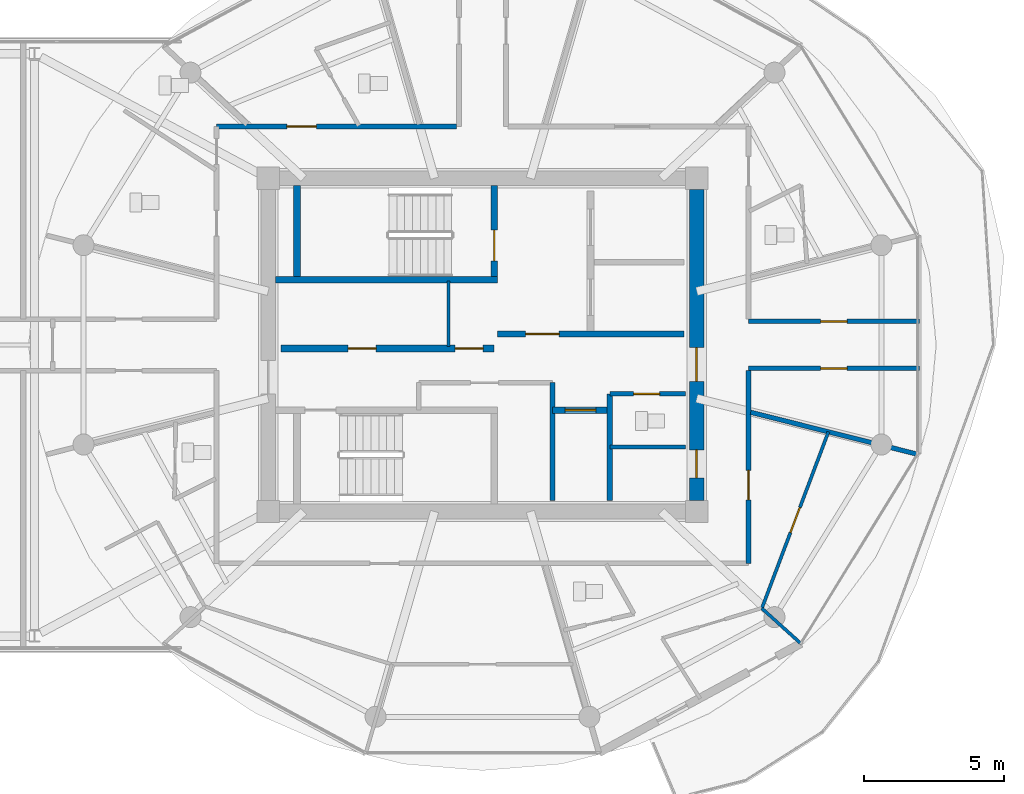
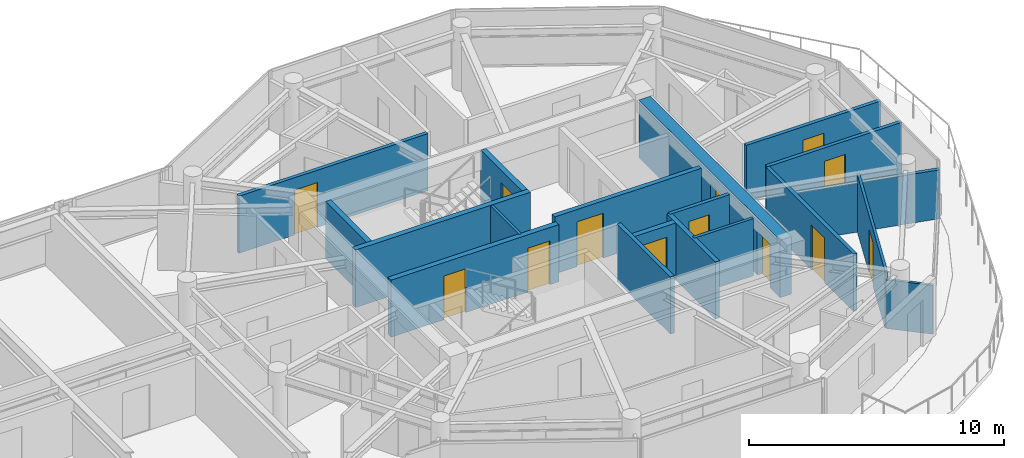
# One storey, part 19 of 26: 19 walls, 13 doors, 13 openings.
"""IFC4 building model written with IfcOpenShell, lengths in metres."""

from ifc_helpers import new_model, si_unit, direction, frame, frame_2d, origin, place, context, subcontext, project, spatial, rectangle, extrude, source, transform, mapped, material, layer, layer_set, type_object, type_shapes, element, fill, save


model = new_model("IFC4")

# Units and contexts
model_context = context("Model", 3, precision=1e-05, world=origin(), true_north=direction((0.0, 1.0)))
body_context = subcontext(model_context, "Body", "Model", "MODEL_VIEW")
ifc_project = project(units=[si_unit("LENGTHUNIT", "METRE"), si_unit("AREAUNIT", "SQUARE_METRE"), si_unit("VOLUMEUNIT", "CUBIC_METRE"), si_unit("PLANEANGLEUNIT", "RADIAN"), si_unit("MASSUNIT", "GRAM", prefix="KILO")], contexts=[model_context])

# Site, building, storey
site_placement = place(None, origin())
site = spatial("IfcSite", under=ifc_project, at=site_placement, CompositionType="ELEMENT")
building_placement = place(site_placement, origin())
building = spatial("IfcBuilding", under=site, at=building_placement, Name="Norrkilde Senior Care Towers", CompositionType="ELEMENT")
storey_placement = place(building_placement, frame((0.0, 0.0, 210.85009765625)))
storey = spatial("IfcBuildingStorey", under=building, at=storey_placement, Name="L65", CompositionType="ELEMENT", Elevation=210.85009765625)

# Wall, openings, doors
ifc_material_1 = material(Name="Concrete C50/60", Category="concrete")
ifc_layer_1 = layer(ifc_material_1, 0.52001953125)
ifc_layer_set_1 = layer_set([ifc_layer_1], Name="Concrete C50/60")
wall_type_1 = type_object("IfcWallType", Name="Core Shear Wall Z4 520", PredefinedType="SHEAR", material=ifc_layer_set_1)
shared_shape_1 = source(origin(), body_context, "Body", "SweptSolid", [
    extrude(rectangle(XDim=11.10009765625, YDim=0.52001953125, at=frame_2d((5.550048828125, 0.0))), origin(), (0.0, 0.0, 1.0), 2.760009765625),
])
type_shapes(wall_type_1, [shared_shape_1])
wall_1_placement = place(storey_placement, frame((35.64990234375, 5.550048828125, 0.0), z_axis=(0.0, 0.0, 1.0), x_axis=(0.0, -1.0, 0.0)))
wall_1 = element("IfcWall", 1, at=wall_1_placement, inside=storey, type_object=wall_type_1, Name="L65 Core E East Shear Wall", PredefinedType="SHEAR", context=body_context, shape_type="MappedRepresentation", body=[
    mapped(shared_shape_1, transform((0.0, 0.0, 0.0), x_axis=(1.0, 0.0, 0.0), y_axis=(0.0, 1.0, 0.0), z_axis=(0.0, 0.0, 1.0), scale=1.0)),
])
opening_1_placement = place(wall_1_placement, frame((5.64990234375, 0.0, 0.0)))
opening_1 = element("IfcOpeningElement", 2, at=opening_1_placement, cuts=wall_1, Name="Opening D-04", PredefinedType="OPENING", context=body_context, shape_type="SweptSolid", body=[
    extrude(rectangle(XDim=1.199951171875, YDim=2.14990234375, at=frame_2d((0.60009765625, 1.074951171875))), frame((0.0, 0.27001953125, 0.0), z_axis=(0.0, -1.0, 0.0), x_axis=(1.0, 0.0, 0.0)), (0.0, 0.0, 1.0), 0.5400390625),
])
opening_2_placement = place(wall_1_placement, frame((9.300048828125, 0.0, 0.0)))
opening_2 = element("IfcOpeningElement", 3, at=opening_2_placement, cuts=wall_1, Name="Opening D-10", PredefinedType="OPENING", context=body_context, shape_type="SweptSolid", body=[
    extrude(rectangle(XDim=1.0, YDim=2.10009765625, at=frame_2d((0.5, 1.050048828125))), frame((0.0, 0.27001953125, 0.0), z_axis=(0.0, -1.0, 0.0), x_axis=(1.0, 0.0, 0.0)), (0.0, 0.0, 1.0), 0.5400390625),
])
ifc_material_2 = material(Name="Galvanised Painted Steel", Category="steel")
door_type_1 = type_object("IfcDoorType", Name="Firefighting Lobby Fire Door 1200x2150", OperationType="NOTDEFINED", PredefinedType="DOOR", material=ifc_material_2)
shared_shape_2 = source(origin(), body_context, "Body", "SweptSolid", [
    extrude(rectangle(XDim=1.199951171875, YDim=2.14990234375, at=frame_2d((0.60009765625, 1.074951171875))), frame((0.0, 0.02490234375, 0.0), z_axis=(0.0, -1.0, 0.0), x_axis=(1.0, 0.0, 0.0)), (0.0, 0.0, 1.0), 0.050048828125),
])
type_shapes(door_type_1, [shared_shape_2])
door_1_placement = place(opening_1_placement, frame((1.199951171875, 0.0, 0.0), z_axis=(0.0, 0.0, 1.0), x_axis=(-1.0, 0.0, 0.0)))
door_1 = element("IfcDoor", 4, at=door_1_placement, inside=storey, type_object=door_type_1, Name="L65 Core E East Portal Door", OperationType="SINGLE_SWING_RIGHT", OverallHeight=2.14990234375, OverallWidth=1.199951171875, PredefinedType="DOOR", context=body_context, shape_type="MappedRepresentation", body=[
    mapped(shared_shape_2, transform((0.0, 0.0, 0.0), x_axis=(1.0, 0.0, 0.0), y_axis=(0.0, 1.0, 0.0), z_axis=(0.0, 0.0, 1.0), scale=1.0)),
])
fill(opening_1, door_1)
door_type_2 = type_object("IfcDoorType", Name="Plant and Riser Rated Door 1000x2100", OperationType="NOTDEFINED", PredefinedType="DOOR", material=ifc_material_2)
shared_shape_3 = source(origin(), body_context, "Body", "SweptSolid", [
    extrude(rectangle(XDim=1.0, YDim=2.10009765625, at=frame_2d((0.5, 1.050048828125))), frame((0.0, 0.02490234375, 0.0), z_axis=(0.0, -1.0, 0.0), x_axis=(1.0, 0.0, 0.0)), (0.0, 0.0, 1.0), 0.050048828125),
])
type_shapes(door_type_2, [shared_shape_3])
door_2_placement = place(opening_2_placement, frame((1.0, 0.0, 0.0), z_axis=(0.0, 0.0, 1.0), x_axis=(-1.0, 0.0, 0.0)))
door_2 = element("IfcDoor", 5, at=door_2_placement, inside=storey, type_object=door_type_2, Name="L65 Ventilation Riser E Door", OperationType="SINGLE_SWING_RIGHT", OverallHeight=2.10009765625, OverallWidth=1.0, PredefinedType="DOOR", context=body_context, shape_type="MappedRepresentation", body=[
    mapped(shared_shape_3, transform((0.0, 0.0, 0.0), x_axis=(1.0, 0.0, 0.0), y_axis=(0.0, 1.0, 0.0), z_axis=(0.0, 0.0, 1.0), scale=1.0)),
])
fill(opening_2, door_2)

# Walls
ifc_material_3 = material(Name="Concrete C45/55", Category="concrete")
ifc_layer_2 = layer(ifc_material_3, 0.239990234375)
ifc_layer_set_2 = layer_set([ifc_layer_2], Name="Concrete C45/55")
wall_type_2 = type_object("IfcWallType", Name="Shaft and Stair Enclosure Wall 240", PredefinedType="PARTITIONING", material=ifc_layer_set_2)
shared_shape_4 = source(origin(), body_context, "Body", "SweptSolid", [
    extrude(rectangle(XDim=7.929931640625, YDim=0.239990234375, at=frame_2d((3.96484375, 0.0))), origin(), (0.0, 0.0, 1.0), 2.760009765625),
])
wall_2_placement = place(storey_placement, frame((20.610107421875, 2.330078125, 0.0), z_axis=(0.0, 0.0, 1.0), x_axis=(1.0, 0.0, 0.0)))
element("IfcWall", 6, at=wall_2_placement, inside=storey, type_object=wall_type_2, Name="WL-INT-L65-E-ST1S", PredefinedType="PARTITIONING", context=body_context, shape_type="MappedRepresentation", body=[
    mapped(shared_shape_4, transform((0.0, 0.0, 0.0), x_axis=(1.0, 0.0, 0.0), y_axis=(0.0, 1.0, 0.0), z_axis=(0.0, 0.0, 1.0), scale=1.0)),
])
shared_shape_5 = source(origin(), body_context, "Body", "SweptSolid", [
    extrude(rectangle(XDim=3.239990234375, YDim=0.239990234375, at=frame_2d((1.6201171875, 0.0))), origin(), (0.0, 0.0, 1.0), 2.760009765625),
])
type_shapes(wall_type_2, [shared_shape_4, shared_shape_5])
wall_3_placement = place(storey_placement, frame((21.3798828125, 2.449951171875, 0.0), z_axis=(0.0, 0.0, 1.0), x_axis=(0.0, 1.0, 0.0)))
element("IfcWall", 7, at=wall_3_placement, inside=storey, type_object=wall_type_2, Name="WL-INT-L65-E-ST1W", PredefinedType="PARTITIONING", context=body_context, shape_type="MappedRepresentation", body=[
    mapped(shared_shape_5, transform((0.0, 0.0, 0.0), x_axis=(1.0, 0.0, 0.0), y_axis=(0.0, 1.0, 0.0), z_axis=(0.0, 0.0, 1.0), scale=1.0)),
])

# Wall, opening, door
wall_4_placement = place(storey_placement, frame((28.419921875, 2.449951171875, 0.0), z_axis=(0.0, 0.0, 1.0), x_axis=(0.0, 1.0, 0.0)))
wall_4 = element("IfcWall", 8, at=wall_4_placement, inside=storey, type_object=wall_type_2, Name="WL-INT-L65-E-ST1E", PredefinedType="PARTITIONING", context=body_context, shape_type="MappedRepresentation", body=[
    mapped(shared_shape_5, transform((0.0, 0.0, 0.0), x_axis=(1.0, 0.0, 0.0), y_axis=(0.0, 1.0, 0.0), z_axis=(0.0, 0.0, 1.0), scale=1.0)),
])
opening_3_placement = place(wall_4_placement, frame((0.550048828125, 0.0, 0.0)))
opening_3 = element("IfcOpeningElement", 9, at=opening_3_placement, cuts=wall_4, Name="Opening D-03", PredefinedType="OPENING", context=body_context, shape_type="SweptSolid", body=[
    extrude(rectangle(XDim=1.10009765625, YDim=2.14990234375, at=frame_2d((0.550048828125, 1.074951171875))), frame((0.0, 0.1298828125, 0.0), z_axis=(0.0, -1.0, 0.0), x_axis=(1.0, 0.0, 0.0)), (0.0, 0.0, 1.0), 0.260009765625),
])
door_type_3 = type_object("IfcDoorType", Name="Stairwell Protected Fire Door 1100x2150", OperationType="NOTDEFINED", PredefinedType="DOOR", material=ifc_material_2)
shared_shape_6 = source(origin(), body_context, "Body", "SweptSolid", [
    extrude(rectangle(XDim=1.10009765625, YDim=2.14990234375, at=frame_2d((0.550048828125, 1.074951171875))), frame((0.0, 0.02490234375, 0.0), z_axis=(0.0, -1.0, 0.0), x_axis=(1.0, 0.0, 0.0)), (0.0, 0.0, 1.0), 0.050048828125),
])
type_shapes(door_type_3, [shared_shape_6])
door_3_placement = place(opening_3_placement, origin())
door_3 = element("IfcDoor", 10, at=door_3_placement, inside=storey, type_object=door_type_3, Name="L65 Stair E1 Fire Door", OperationType="SINGLE_SWING_LEFT", OverallHeight=2.14990234375, OverallWidth=1.10009765625, PredefinedType="DOOR", context=body_context, shape_type="MappedRepresentation", body=[
    mapped(shared_shape_6, transform((0.0, 0.0, 0.0), x_axis=(1.0, 0.0, 0.0), y_axis=(0.0, 1.0, 0.0), z_axis=(0.0, 0.0, 1.0), scale=1.0)),
])
fill(opening_3, door_3)

# Wall
ifc_material_4 = material(Name="Gypsum Acoustic Board")
ifc_layer_3 = layer(ifc_material_4, 0.1650390625)
ifc_layer_set_3 = layer_set([ifc_layer_3], Name="Gypsum Acoustic Board")
wall_type_3 = type_object("IfcWallType", Name="Corridor Rated Partition 165", PredefinedType="PARTITIONING", material=ifc_layer_set_3)
shared_shape_7 = source(origin(), body_context, "Body", "SweptSolid", [
    extrude(rectangle(XDim=6.1572265625, YDim=0.1650390625, at=frame_2d((3.07861328125, 0.0))), origin(), (0.0, 0.0, 1.0), 2.344970703125),
])
wall_5_placement = place(storey_placement, frame((37.580078125, -2.407470703125, 0.0), z_axis=(0.0, 0.0, 1.0), x_axis=(0.969840867184, -0.243738984038, 0.0)))
element("IfcWall", 11, at=wall_5_placement, inside=storey, type_object=wall_type_3, Name="WL-INT-L65-E-DEM-11-0", PredefinedType="PARTITIONING", context=body_context, shape_type="MappedRepresentation", body=[
    mapped(shared_shape_7, transform((0.0, 0.0, 0.0), x_axis=(1.0, 0.0, 0.0), y_axis=(0.0, 1.0, 0.0), z_axis=(0.0, 0.0, 1.0), scale=1.0)),
])

# Wall, opening, door
ifc_layer_4 = layer(ifc_material_3, 0.2099609375)
ifc_layer_set_4 = layer_set([ifc_layer_4], Name="Concrete C45/55")
wall_type_4 = type_object("IfcWallType", Name="Firefighting Lobby Wall 210", PredefinedType="PARTITIONING", material=ifc_layer_set_4)
shared_shape_8 = source(origin(), body_context, "Body", "SweptSolid", [
    extrude(rectangle(XDim=6.659912109375, YDim=0.2099609375, at=frame_2d((3.330078125, 0.0))), origin(), (0.0, 0.0, 1.0), 2.744873046875),
])
type_shapes(wall_type_4, [shared_shape_8])
wall_6_placement = place(storey_placement, frame((28.5400390625, 0.389892578125, 0.0), z_axis=(0.0, 0.0, 1.0), x_axis=(1.0, 0.0, 0.0)))
wall_6 = element("IfcWall", 12, at=wall_6_placement, inside=storey, type_object=wall_type_4, Name="WL-INT-L65-E-FFLS", PredefinedType="PARTITIONING", context=body_context, shape_type="MappedRepresentation", body=[
    mapped(shared_shape_8, transform((0.0, 0.0, 0.0), x_axis=(1.0, 0.0, 0.0), y_axis=(0.0, 1.0, 0.0), z_axis=(0.0, 0.0, 1.0), scale=1.0)),
])
opening_4_placement = place(wall_6_placement, frame((1.0, 0.0, 0.0)))
opening_4 = element("IfcOpeningElement", 13, at=opening_4_placement, cuts=wall_6, Name="Opening D-04", PredefinedType="OPENING", context=body_context, shape_type="SweptSolid", body=[
    extrude(rectangle(XDim=1.199951171875, YDim=2.14990234375, at=frame_2d((0.60009765625, 1.074951171875))), frame((0.0, 0.114990234375, 0.0), z_axis=(0.0, -1.0, 0.0), x_axis=(1.0, 0.0, 0.0)), (0.0, 0.0, 1.0), 0.22998046875),
])
door_4_placement = place(opening_4_placement, frame((1.199951171875, 0.0, 0.0), z_axis=(0.0, 0.0, 1.0), x_axis=(-1.0, 0.0, 0.0)))
door_4 = element("IfcDoor", 14, at=door_4_placement, inside=storey, type_object=door_type_1, Name="L65 Firefighting Lobby E Door", OperationType="SINGLE_SWING_LEFT", OverallHeight=2.14990234375, OverallWidth=1.199951171875, PredefinedType="DOOR", context=body_context, shape_type="MappedRepresentation", body=[
    mapped(shared_shape_2, transform((0.0, 0.0, 0.0), x_axis=(1.0, 0.0, 0.0), y_axis=(0.0, 1.0, 0.0), z_axis=(0.0, 0.0, 1.0), scale=1.0)),
])
fill(opening_4, door_4)

# Wall, openings, doors
ifc_layer_5 = layer(ifc_material_3, 0.239990234375)
ifc_layer_set_5 = layer_set([ifc_layer_5], Name="Concrete C45/55")
wall_type_5 = type_object("IfcWallType", Name="Lift and Plant Rated Enclosure Partition 240", PredefinedType="PARTITIONING", material=ifc_layer_set_5)
shared_shape_9 = source(origin(), body_context, "Body", "SweptSolid", [
    extrude(rectangle(XDim=7.619873046875, YDim=0.239990234375, at=frame_2d((3.81005859375, 0.0))), origin(), (0.0, 0.0, 1.0), 2.744873046875),
])
wall_7_placement = place(storey_placement, frame((20.800048828125, -0.1298828125, 0.0), z_axis=(0.0, 0.0, 1.0), x_axis=(1.0, 0.0, 0.0)))
wall_7 = element("IfcWall", 15, at=wall_7_placement, inside=storey, type_object=wall_type_5, Name="WL-INT-L65-E-PKAS", PredefinedType="PARTITIONING", context=body_context, shape_type="MappedRepresentation", body=[
    mapped(shared_shape_9, transform((0.0, 0.0, 0.0), x_axis=(1.0, 0.0, 0.0), y_axis=(0.0, 1.0, 0.0), z_axis=(0.0, 0.0, 1.0), scale=1.0)),
])
opening_5_placement = place(wall_7_placement, frame((6.219970703125, 0.0, 0.0)))
opening_5 = element("IfcOpeningElement", 16, at=opening_5_placement, cuts=wall_7, Name="Opening D-10", PredefinedType="OPENING", context=body_context, shape_type="SweptSolid", body=[
    extrude(rectangle(XDim=1.0, YDim=2.10009765625, at=frame_2d((0.5, 1.050048828125))), frame((0.0, 0.1298828125, 0.0), z_axis=(0.0, -1.0, 0.0), x_axis=(1.0, 0.0, 0.0)), (0.0, 0.0, 1.0), 0.260009765625),
])
opening_6_placement = place(wall_7_placement, frame((2.39990234375, 0.0, 0.0)))
opening_6 = element("IfcOpeningElement", 17, at=opening_6_placement, cuts=wall_7, Name="Opening D-10", PredefinedType="OPENING", context=body_context, shape_type="SweptSolid", body=[
    extrude(rectangle(XDim=1.0, YDim=2.10009765625, at=frame_2d((0.5, 1.050048828125))), frame((0.0, 0.1298828125, 0.0), z_axis=(0.0, -1.0, 0.0), x_axis=(1.0, 0.0, 0.0)), (0.0, 0.0, 1.0), 0.260009765625),
])
door_5_placement = place(opening_5_placement, frame((1.0, 0.0, 0.0), z_axis=(0.0, 0.0, 1.0), x_axis=(-1.0, 0.0, 0.0)))
door_5 = element("IfcDoor", 18, at=door_5_placement, inside=storey, type_object=door_type_2, Name="L65 Electrical Riser E Door", OperationType="SINGLE_SWING_LEFT", OverallHeight=2.10009765625, OverallWidth=1.0, PredefinedType="DOOR", context=body_context, shape_type="MappedRepresentation", body=[
    mapped(shared_shape_3, transform((0.0, 0.0, 0.0), x_axis=(1.0, 0.0, 0.0), y_axis=(0.0, 1.0, 0.0), z_axis=(0.0, 0.0, 1.0), scale=1.0)),
])
fill(opening_5, door_5)
door_6_placement = place(opening_6_placement, frame((1.0, 0.0, 0.0), z_axis=(0.0, 0.0, 1.0), x_axis=(-1.0, 0.0, 0.0)))
door_6 = element("IfcDoor", 19, at=door_6_placement, inside=storey, type_object=door_type_2, Name="L65 Clean Supply Store E Door", OperationType="SINGLE_SWING_LEFT", OverallHeight=2.10009765625, OverallWidth=1.0, PredefinedType="DOOR", context=body_context, shape_type="MappedRepresentation", body=[
    mapped(shared_shape_3, transform((0.0, 0.0, 0.0), x_axis=(1.0, 0.0, 0.0), y_axis=(0.0, 1.0, 0.0), z_axis=(0.0, 0.0, 1.0), scale=1.0)),
])
fill(opening_6, door_6)

# Walls
ifc_layer_6 = layer(ifc_material_4, 0.114990234375)
ifc_layer_set_6 = layer_set([ifc_layer_6], Name="Gypsum Acoustic Board")
wall_type_6 = type_object("IfcWallType", Name="Internal Room Partition 115", PredefinedType="PARTITIONING", material=ifc_layer_set_6)
shared_shape_10 = source(origin(), body_context, "Body", "SweptSolid", [
    extrude(rectangle(XDim=2.330078125, YDim=0.114990234375, at=frame_2d((1.1650390625, 0.0))), origin(), (0.0, 0.0, 1.0), 2.744873046875),
])
wall_8_placement = place(storey_placement, frame((26.7900390625, -0.050048828125, 0.0), z_axis=(0.0, 0.0, 1.0), x_axis=(0.0, 1.0, 0.0)))
element("IfcWall", 20, at=wall_8_placement, inside=storey, type_object=wall_type_6, Name="WL-INT-L65-E-RISW", PredefinedType="PARTITIONING", context=body_context, shape_type="MappedRepresentation", body=[
    mapped(shared_shape_10, transform((0.0, 0.0, 0.0), x_axis=(1.0, 0.0, 0.0), y_axis=(0.0, 1.0, 0.0), z_axis=(0.0, 0.0, 1.0), scale=1.0)),
])
ifc_layer_7 = layer(ifc_material_3, 0.199951171875)
ifc_layer_set_7 = layer_set([ifc_layer_7], Name="Concrete C45/55")
wall_type_7 = type_object("IfcWallType", Name="Shaft Division and Plant Partition 200", PredefinedType="PARTITIONING", material=ifc_layer_set_7)
shared_shape_11 = source(origin(), body_context, "Body", "SweptSolid", [
    extrude(rectangle(XDim=3.800048828125, YDim=0.199951171875, at=frame_2d((1.89990234375, 0.0))), origin(), (0.0, 0.0, 1.0), 2.744873046875),
])
type_shapes(wall_type_7, [shared_shape_11])
wall_9_placement = place(storey_placement, frame((32.550048828125, -5.550048828125, 0.0), z_axis=(0.0, 0.0, 1.0), x_axis=(0.0, 1.0, 0.0)))
element("IfcWall", 21, at=wall_9_placement, inside=storey, type_object=wall_type_7, Name="WL-INT-L65-E-PKBE", PredefinedType="PARTITIONING", context=body_context, shape_type="MappedRepresentation", body=[
    mapped(shared_shape_11, transform((0.0, 0.0, 0.0), x_axis=(1.0, 0.0, 0.0), y_axis=(0.0, 1.0, 0.0), z_axis=(0.0, 0.0, 1.0), scale=1.0)),
])

# Wall, opening, door
shared_shape_12 = source(origin(), body_context, "Body", "SweptSolid", [
    extrude(rectangle(XDim=2.050048828125, YDim=0.239990234375, at=frame_2d((1.02490234375, 0.0))), origin(), (0.0, 0.0, 1.0), 2.744873046875),
])
type_shapes(wall_type_5, [shared_shape_9, shared_shape_12])
wall_10_placement = place(storey_placement, frame((30.5, -2.330078125, 0.0), z_axis=(0.0, 0.0, 1.0), x_axis=(1.0, 0.0, 0.0)))
wall_10 = element("IfcWall", 22, at=wall_10_placement, inside=storey, type_object=wall_type_5, Name="WL-INT-L65-E-PL4N", PredefinedType="PARTITIONING", context=body_context, shape_type="MappedRepresentation", body=[
    mapped(shared_shape_12, transform((0.0, 0.0, 0.0), x_axis=(1.0, 0.0, 0.0), y_axis=(0.0, 1.0, 0.0), z_axis=(0.0, 0.0, 1.0), scale=1.0)),
])
opening_7_placement = place(wall_10_placement, frame((0.449951171875, 0.0, 0.0)))
opening_7 = element("IfcOpeningElement", 23, at=opening_7_placement, cuts=wall_10, Name="Opening LD-01", PredefinedType="OPENING", context=body_context, shape_type="SweptSolid", body=[
    extrude(rectangle(XDim=1.10009765625, YDim=2.199951171875, at=frame_2d((0.550048828125, 1.10009765625))), frame((0.0, 0.1298828125, 0.0), z_axis=(0.0, -1.0, 0.0), x_axis=(1.0, 0.0, 0.0)), (0.0, 0.0, 1.0), 0.260009765625),
])
ifc_material_5 = material(Name="Stainless Steel", Category="steel")
door_type_4 = type_object("IfcDoorType", Name="Lift Landing Sliding Door 1100x2200", OperationType="NOTDEFINED", PredefinedType="DOOR", material=ifc_material_5)
shared_shape_13 = source(origin(), body_context, "Body", "SweptSolid", [
    extrude(rectangle(XDim=1.10009765625, YDim=2.199951171875, at=frame_2d((0.550048828125, 1.10009765625))), frame((0.0, 0.02490234375, 0.0), z_axis=(0.0, -1.0, 0.0), x_axis=(1.0, 0.0, 0.0)), (0.0, 0.0, 1.0), 0.050048828125),
])
type_shapes(door_type_4, [shared_shape_13])
door_7_placement = place(opening_7_placement, frame((1.10009765625, 0.0, 0.0), z_axis=(0.0, 0.0, 1.0), x_axis=(-1.0, 0.0, 0.0)))
door_7 = element("IfcDoor", 24, at=door_7_placement, inside=storey, type_object=door_type_4, Name="L65 Passenger Lift E4 Landing Door", OperationType="SLIDING_TO_RIGHT", OverallHeight=2.199951171875, OverallWidth=1.10009765625, PredefinedType="DOOR", context=body_context, shape_type="MappedRepresentation", body=[
    mapped(shared_shape_13, transform((0.0, 0.0, 0.0), x_axis=(1.0, 0.0, 0.0), y_axis=(0.0, 1.0, 0.0), z_axis=(0.0, 0.0, 1.0), scale=1.0)),
])
fill(opening_7, door_7)

# Wall
ifc_layer_8 = layer(ifc_material_3, 0.179931640625)
ifc_layer_set_8 = layer_set([ifc_layer_8], Name="Concrete C45/55")
wall_type_8 = type_object("IfcWallType", Name="Hoistway Division Rated Partition 180", PredefinedType="PARTITIONING", material=ifc_layer_set_8)
shared_shape_14 = source(origin(), body_context, "Body", "SweptSolid", [
    extrude(rectangle(XDim=4.199951171875, YDim=0.179931640625, at=frame_2d((2.10009765625, 0.0))), origin(), (0.0, 0.0, 1.0), 2.744873046875),
])
type_shapes(wall_type_8, [shared_shape_14])
wall_11_placement = place(storey_placement, frame((30.5, -5.550048828125, 0.0), z_axis=(0.0, 0.0, 1.0), x_axis=(0.0, 1.0, 0.0)))
element("IfcWall", 25, at=wall_11_placement, inside=storey, type_object=wall_type_8, Name="WL-INT-L65-E-PL4W", PredefinedType="PARTITIONING", context=body_context, shape_type="MappedRepresentation", body=[
    mapped(shared_shape_14, transform((0.0, 0.0, 0.0), x_axis=(1.0, 0.0, 0.0), y_axis=(0.0, 1.0, 0.0), z_axis=(0.0, 0.0, 1.0), scale=1.0)),
])

# Wall, opening, door
shared_shape_15 = source(origin(), body_context, "Body", "SweptSolid", [
    extrude(rectangle(XDim=2.699951171875, YDim=0.1650390625, at=frame_2d((1.35009765625, 0.0))), origin(), (0.0, 0.0, 1.0), 2.744873046875),
])
wall_12_placement = place(storey_placement, frame((32.550048828125, -1.75, 0.0), z_axis=(0.0, 0.0, 1.0), x_axis=(1.0, 0.0, 0.0)))
wall_12 = element("IfcWall", 26, at=wall_12_placement, inside=storey, type_object=wall_type_3, Name="WL-INT-L65-E-CSN", PredefinedType="PARTITIONING", context=body_context, shape_type="MappedRepresentation", body=[
    mapped(shared_shape_15, transform((0.0, 0.0, 0.0), x_axis=(1.0, 0.0, 0.0), y_axis=(0.0, 1.0, 0.0), z_axis=(0.0, 0.0, 1.0), scale=1.0)),
])
opening_8_placement = place(wall_12_placement, frame((0.85009765625, 0.0, 0.0)))
opening_8 = element("IfcOpeningElement", 27, at=opening_8_placement, cuts=wall_12, Name="Opening D-12", PredefinedType="OPENING", context=body_context, shape_type="SweptSolid", body=[
    extrude(rectangle(XDim=0.925048828125, YDim=2.10009765625, at=frame_2d((0.46240234375, 1.050048828125))), frame((0.0, 0.092529296875, 0.0), z_axis=(0.0, -1.0, 0.0), x_axis=(1.0, 0.0, 0.0)), (0.0, 0.0, 1.0), 0.18505859375),
])
door_type_5 = type_object("IfcDoorType", Name="Core Wet Room Rated Door 925x2100", OperationType="NOTDEFINED", PredefinedType="DOOR", material=ifc_material_2)
shared_shape_16 = source(origin(), body_context, "Body", "SweptSolid", [
    extrude(rectangle(XDim=0.925048828125, YDim=2.10009765625, at=frame_2d((0.46240234375, 1.050048828125))), frame((0.0, 0.02490234375, 0.0), z_axis=(0.0, -1.0, 0.0), x_axis=(1.0, 0.0, 0.0)), (0.0, 0.0, 1.0), 0.050048828125),
])
type_shapes(door_type_5, [shared_shape_16])
door_8_placement = place(opening_8_placement, origin())
door_8 = element("IfcDoor", 28, at=door_8_placement, inside=storey, type_object=door_type_5, Name="L65 Staff WC E Door", OperationType="SINGLE_SWING_LEFT", OverallHeight=2.10009765625, OverallWidth=0.925048828125, PredefinedType="DOOR", context=body_context, shape_type="MappedRepresentation", body=[
    mapped(shared_shape_16, transform((0.0, 0.0, 0.0), x_axis=(1.0, 0.0, 0.0), y_axis=(0.0, 1.0, 0.0), z_axis=(0.0, 0.0, 1.0), scale=1.0)),
])
fill(opening_8, door_8)

# Wall
ifc_layer_9 = layer(ifc_material_4, 0.139892578125)
ifc_layer_set_9 = layer_set([ifc_layer_9], Name="Gypsum Acoustic Board")
wall_type_9 = type_object("IfcWallType", Name="En-suite Wet Room Wall 140", PredefinedType="PARTITIONING", material=ifc_layer_set_9)
shared_shape_17 = source(origin(), body_context, "Body", "SweptSolid", [
    extrude(rectangle(XDim=2.699951171875, YDim=0.139892578125, at=frame_2d((1.35009765625, 0.0))), origin(), (0.0, 0.0, 1.0), 2.744873046875),
])
type_shapes(wall_type_9, [shared_shape_17])
wall_13_placement = place(storey_placement, frame((32.550048828125, -3.64990234375, 0.0), z_axis=(0.0, 0.0, 1.0), x_axis=(1.0, 0.0, 0.0)))
element("IfcWall", 29, at=wall_13_placement, inside=storey, type_object=wall_type_9, Name="WL-INT-L65-E-CS2H", PredefinedType="PARTITIONING", context=body_context, shape_type="MappedRepresentation", body=[
    mapped(shared_shape_17, transform((0.0, 0.0, 0.0), x_axis=(1.0, 0.0, 0.0), y_axis=(0.0, 1.0, 0.0), z_axis=(0.0, 0.0, 1.0), scale=1.0)),
])

# Wall, opening, door
shared_shape_18 = source(origin(), body_context, "Body", "SweptSolid", [
    extrude(rectangle(XDim=8.580078125, YDim=0.1650390625, at=frame_2d((4.2900390625, 0.0))), origin(), (0.0, 0.0, 1.0), 2.744873046875),
])
wall_14_placement = place(storey_placement, frame((18.5, 7.800048828125, 0.0), z_axis=(0.0, 0.0, 1.0), x_axis=(1.0, 0.0, 0.0)))
wall_14 = element("IfcWall", 30, at=wall_14_placement, inside=storey, type_object=wall_type_3, Name="WL-INT-L65-E-CRW-N-0", PredefinedType="PARTITIONING", context=body_context, shape_type="MappedRepresentation", body=[
    mapped(shared_shape_18, transform((0.0, 0.0, 0.0), x_axis=(1.0, 0.0, 0.0), y_axis=(0.0, 1.0, 0.0), z_axis=(0.0, 0.0, 1.0), scale=1.0)),
])
opening_9_placement = place(wall_14_placement, frame((2.5146484375, 0.0, 0.0)))
opening_9 = element("IfcOpeningElement", 31, at=opening_9_placement, cuts=wall_14, Name="Opening D-06", PredefinedType="OPENING", context=body_context, shape_type="SweptSolid", body=[
    extrude(rectangle(XDim=1.050048828125, YDim=2.14990234375, at=frame_2d((0.52490234375, 1.074951171875))), frame((0.0, 0.092529296875, 0.0), z_axis=(0.0, -1.0, 0.0), x_axis=(1.0, 0.0, 0.0)), (0.0, 0.0, 1.0), 0.18505859375),
])
ifc_material_6 = material(Name="Nordic Ash Timber", Category="wood")
door_type_6 = type_object("IfcDoorType", Name="Apartment Entrance Fire Door 1050x2150", OperationType="NOTDEFINED", PredefinedType="DOOR", material=ifc_material_6)
shared_shape_19 = source(origin(), body_context, "Body", "SweptSolid", [
    extrude(rectangle(XDim=1.050048828125, YDim=2.14990234375, at=frame_2d((0.52490234375, 1.074951171875))), frame((0.0, 0.02490234375, 0.0), z_axis=(0.0, -1.0, 0.0), x_axis=(1.0, 0.0, 0.0)), (0.0, 0.0, 1.0), 0.050048828125),
])
type_shapes(door_type_6, [shared_shape_19])
door_9_placement = place(opening_9_placement, frame((1.050048828125, 0.0, 0.0), z_axis=(0.0, 0.0, 1.0), x_axis=(-1.0, 0.0, 0.0)))
door_9 = element("IfcDoor", 32, at=door_9_placement, inside=storey, type_object=door_type_6, Name="L65 Studio 65C Entrance Door", OperationType="SINGLE_SWING_LEFT", OverallHeight=2.14990234375, OverallWidth=1.050048828125, PredefinedType="DOOR", context=body_context, shape_type="MappedRepresentation", body=[
    mapped(shared_shape_19, transform((0.0, 0.0, 0.0), x_axis=(1.0, 0.0, 0.0), y_axis=(0.0, 1.0, 0.0), z_axis=(0.0, 0.0, 1.0), scale=1.0)),
])
fill(opening_9, door_9)

shared_shape_20 = source(origin(), body_context, "Body", "SweptSolid", [
    extrude(rectangle(XDim=6.880126953125, YDim=0.1650390625, at=frame_2d((3.43994140625, 0.0))), origin(), (0.0, 0.0, 1.0), 2.744873046875),
])
wall_15_placement = place(storey_placement, frame((37.5, -0.919921875, 0.0), z_axis=(0.0, 0.0, 1.0), x_axis=(0.0, -1.0, 0.0)))
wall_15 = element("IfcWall", 33, at=wall_15_placement, inside=storey, type_object=wall_type_3, Name="WL-INT-L65-E-CRW-E-1", PredefinedType="PARTITIONING", context=body_context, shape_type="MappedRepresentation", body=[
    mapped(shared_shape_20, transform((0.0, 0.0, 0.0), x_axis=(1.0, 0.0, 0.0), y_axis=(0.0, 1.0, 0.0), z_axis=(0.0, 0.0, 1.0), scale=1.0)),
])
opening_10_placement = place(wall_15_placement, frame((3.564208984375, 0.0, 0.0)))
opening_10 = element("IfcOpeningElement", 34, at=opening_10_placement, cuts=wall_15, Name="Opening D-06", PredefinedType="OPENING", context=body_context, shape_type="SweptSolid", body=[
    extrude(rectangle(XDim=1.050048828125, YDim=2.14990234375, at=frame_2d((0.52490234375, 1.074951171875))), frame((0.0, 0.092529296875, 0.0), z_axis=(0.0, -1.0, 0.0), x_axis=(1.0, 0.0, 0.0)), (0.0, 0.0, 1.0), 0.18505859375),
])
door_10_placement = place(opening_10_placement, frame((1.050048828125, 0.0, 0.0), z_axis=(0.0, 0.0, 1.0), x_axis=(-1.0, 0.0, 0.0)))
door_10 = element("IfcDoor", 35, at=door_10_placement, inside=storey, type_object=door_type_6, Name="Apartment 65F Entrance Door", OperationType="SINGLE_SWING_RIGHT", OverallHeight=2.14990234375, OverallWidth=1.050048828125, PredefinedType="DOOR", context=body_context, shape_type="MappedRepresentation", body=[
    mapped(shared_shape_19, transform((0.0, 0.0, 0.0), x_axis=(1.0, 0.0, 0.0), y_axis=(0.0, 1.0, 0.0), z_axis=(0.0, 0.0, 1.0), scale=1.0)),
])
fill(opening_10, door_10)

shared_shape_21 = source(origin(), body_context, "Body", "SweptSolid", [
    extrude(rectangle(XDim=6.101318359375, YDim=0.1650390625, at=frame_2d((3.05078125, 0.0))), origin(), (0.0, 0.0, 1.0), 2.744873046875),
])
type_shapes(wall_type_3, [shared_shape_7, shared_shape_15, shared_shape_18, shared_shape_20, shared_shape_21])
wall_16_placement = place(storey_placement, frame((37.5, 0.840087890625, 0.0), z_axis=(0.0, 0.0, 1.0), x_axis=(1.0, 0.0, 0.0)))
wall_16 = element("IfcWall", 36, at=wall_16_placement, inside=storey, type_object=wall_type_3, Name="WL-INT-L65-E-SPK-E1-0", PredefinedType="PARTITIONING", context=body_context, shape_type="MappedRepresentation", body=[
    mapped(shared_shape_21, transform((0.0, 0.0, 0.0), x_axis=(1.0, 0.0, 0.0), y_axis=(0.0, 1.0, 0.0), z_axis=(0.0, 0.0, 1.0), scale=1.0)),
])
opening_11_placement = place(wall_16_placement, frame((2.57568359375, 0.0, 0.0)))
opening_11 = element("IfcOpeningElement", 37, at=opening_11_placement, cuts=wall_16, Name="Opening D-07", PredefinedType="OPENING", context=body_context, shape_type="SweptSolid", body=[
    extrude(rectangle(XDim=0.949951171875, YDim=2.10009765625, at=frame_2d((0.47509765625, 1.050048828125))), frame((0.0, 0.092529296875, 0.0), z_axis=(0.0, -1.0, 0.0), x_axis=(1.0, 0.0, 0.0)), (0.0, 0.0, 1.0), 0.18505859375),
])
door_type_7 = type_object("IfcDoorType", Name="Internal Suite Bedroom Door 950x2100", OperationType="NOTDEFINED", PredefinedType="DOOR", material=ifc_material_6)
shared_shape_22 = source(origin(), body_context, "Body", "SweptSolid", [
    extrude(rectangle(XDim=0.949951171875, YDim=2.10009765625, at=frame_2d((0.47509765625, 1.050048828125))), frame((0.0, 0.02490234375, 0.0), z_axis=(0.0, -1.0, 0.0), x_axis=(1.0, 0.0, 0.0)), (0.0, 0.0, 1.0), 0.050048828125),
])
type_shapes(door_type_7, [shared_shape_22])
door_11_placement = place(opening_11_placement, frame((0.949951171875, 0.0, 0.0), z_axis=(0.0, 0.0, 1.0), x_axis=(-1.0, 0.0, 0.0)))
door_11 = element("IfcDoor", 38, at=door_11_placement, inside=storey, type_object=door_type_7, Name="L65 Sun Reading Lounge 6 Door", OperationType="SINGLE_SWING_LEFT", OverallHeight=2.10009765625, OverallWidth=0.949951171875, PredefinedType="DOOR", context=body_context, shape_type="MappedRepresentation", body=[
    mapped(shared_shape_22, transform((0.0, 0.0, 0.0), x_axis=(1.0, 0.0, 0.0), y_axis=(0.0, 1.0, 0.0), z_axis=(0.0, 0.0, 1.0), scale=1.0)),
])
fill(opening_11, door_11)

wall_17_placement = place(storey_placement, frame((43.601318359375, -0.840087890625, 0.0), z_axis=(0.0, 0.0, 1.0), x_axis=(-1.0, 0.0, 0.0)))
wall_17 = element("IfcWall", 39, at=wall_17_placement, inside=storey, type_object=wall_type_3, Name="WL-INT-L65-E-SPK-E2-0", PredefinedType="PARTITIONING", context=body_context, shape_type="MappedRepresentation", body=[
    mapped(shared_shape_21, transform((0.0, 0.0, 0.0), x_axis=(1.0, 0.0, 0.0), y_axis=(0.0, 1.0, 0.0), z_axis=(0.0, 0.0, 1.0), scale=1.0)),
])
opening_12_placement = place(wall_17_placement, frame((2.57568359375, 0.0, 0.0)))
opening_12 = element("IfcOpeningElement", 40, at=opening_12_placement, cuts=wall_17, Name="Opening D-07", PredefinedType="OPENING", context=body_context, shape_type="SweptSolid", body=[
    extrude(rectangle(XDim=0.949951171875, YDim=2.10009765625, at=frame_2d((0.47509765625, 1.050048828125))), frame((0.0, 0.092529296875, 0.0), z_axis=(0.0, -1.0, 0.0), x_axis=(1.0, 0.0, 0.0)), (0.0, 0.0, 1.0), 0.18505859375),
])
door_12_placement = place(opening_12_placement, frame((0.949951171875, 0.0, 0.0), z_axis=(0.0, 0.0, 1.0), x_axis=(-1.0, 0.0, 0.0)))
door_12 = element("IfcDoor", 41, at=door_12_placement, inside=storey, type_object=door_type_7, Name="L65 Sun Reading Lounge 5 Door", OperationType="SINGLE_SWING_RIGHT", OverallHeight=2.10009765625, OverallWidth=0.949951171875, PredefinedType="DOOR", context=body_context, shape_type="MappedRepresentation", body=[
    mapped(shared_shape_22, transform((0.0, 0.0, 0.0), x_axis=(1.0, 0.0, 0.0), y_axis=(0.0, 1.0, 0.0), z_axis=(0.0, 0.0, 1.0), scale=1.0)),
])
fill(opening_12, door_12)

shared_shape_23 = source(origin(), body_context, "Body", "SweptSolid", [
    extrude(rectangle(XDim=6.738037109375, YDim=0.114990234375, at=frame_2d((3.369140625, 0.0))), origin(), (0.0, 0.0, 1.0), 2.744873046875),
])
wall_18_placement = place(storey_placement, frame((37.977783203125, -9.408935546875, 0.0), z_axis=(0.0, 0.0, 1.0), x_axis=(0.352945344347, 0.935643940772, 0.0)))
wall_18 = element("IfcWall", 42, at=wall_18_placement, inside=storey, type_object=wall_type_6, Name="WL-INT-L65-E-UBC-09-1", PredefinedType="PARTITIONING", context=body_context, shape_type="MappedRepresentation", body=[
    mapped(shared_shape_23, transform((0.0, 0.0, 0.0), x_axis=(1.0, 0.0, 0.0), y_axis=(0.0, 1.0, 0.0), z_axis=(0.0, 0.0, 1.0), scale=1.0)),
])
opening_13_placement = place(wall_18_placement, frame((2.89404296875, 0.0, 0.0)))
opening_13 = element("IfcOpeningElement", 43, at=opening_13_placement, cuts=wall_18, Name="Opening D-07", PredefinedType="OPENING", context=body_context, shape_type="SweptSolid", body=[
    extrude(rectangle(XDim=0.949951171875, YDim=2.10009765625, at=frame_2d((0.47509765625, 1.050048828125))), frame((0.0, 0.0673828125, 0.0), z_axis=(0.0, -1.0, 0.0), x_axis=(1.0, 0.0, 0.0)), (0.0, 0.0, 1.0), 0.135009765625),
])
door_13_placement = place(opening_13_placement, origin())
door_13 = element("IfcDoor", 44, at=door_13_placement, inside=storey, type_object=door_type_7, Name="Apartment 65F Bedroom 1 Door", OperationType="SINGLE_SWING_LEFT", OverallHeight=2.10009765625, OverallWidth=0.949951171875, PredefinedType="DOOR", context=body_context, shape_type="MappedRepresentation", body=[
    mapped(shared_shape_22, transform((0.0, 0.0, 0.0), x_axis=(1.0, 0.0, 0.0), y_axis=(0.0, 1.0, 0.0), z_axis=(0.0, 0.0, 1.0), scale=1.0)),
])
fill(opening_13, door_13)

# Wall
shared_shape_24 = source(origin(), body_context, "Body", "SweptSolid", [
    extrude(rectangle(XDim=1.89404296875, YDim=0.114990234375, at=frame_2d((0.947021484375, 0.0))), origin(), (0.0, 0.0, 1.0), 2.344970703125),
])
type_shapes(wall_type_6, [shared_shape_10, shared_shape_23, shared_shape_24])
wall_19_placement = place(storey_placement, frame((37.977783203125, -9.408935546875, 0.0), z_axis=(0.0, 0.0, 1.0), x_axis=(0.742704207382, -0.669619638554, 0.0)))
element("IfcWall", 45, at=wall_19_placement, inside=storey, type_object=wall_type_6, Name="WL-INT-L65-E-UBR-09-1", PredefinedType="PARTITIONING", context=body_context, shape_type="MappedRepresentation", body=[
    mapped(shared_shape_24, transform((0.0, 0.0, 0.0), x_axis=(1.0, 0.0, 0.0), y_axis=(0.0, 1.0, 0.0), z_axis=(0.0, 0.0, 1.0), scale=1.0)),
])

save(model, "model.ifc")
